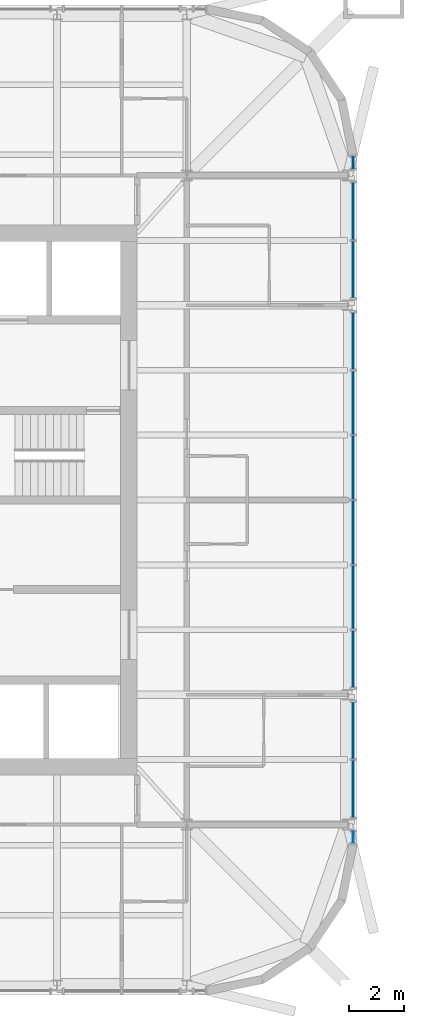
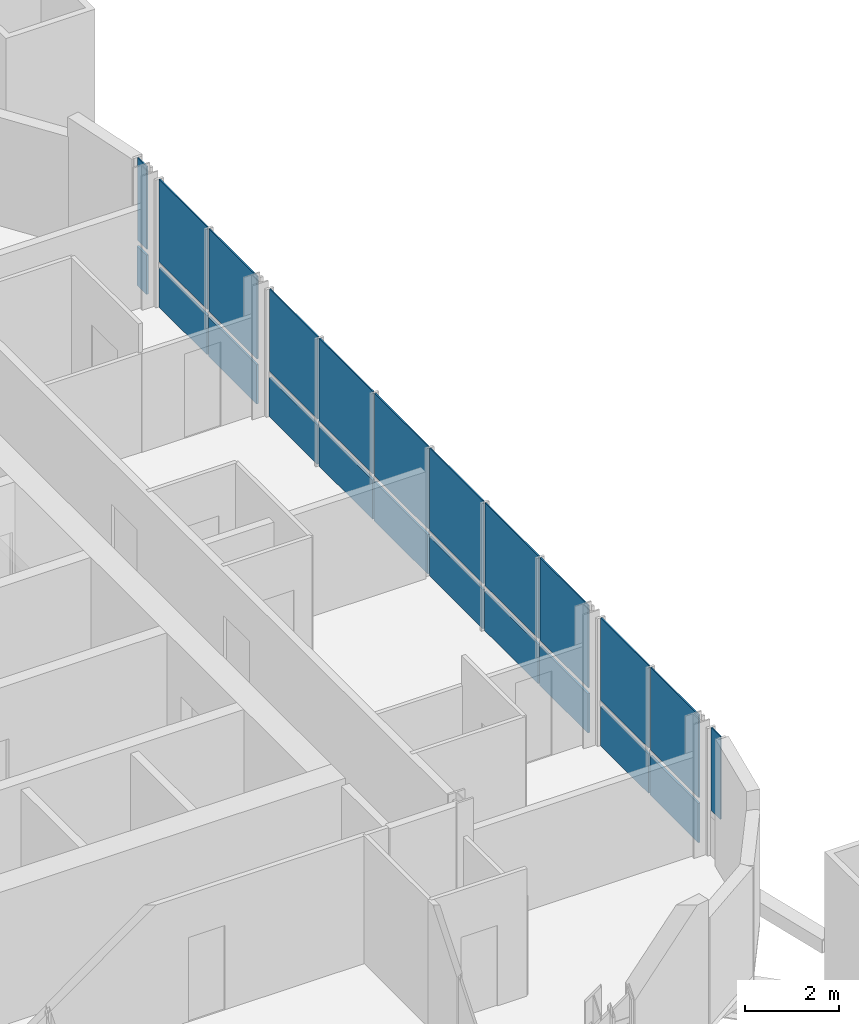
# One storey, part 10 of 16: 23 plates, 5 elements without a shape of their own.
"""IFC4 building model written with IfcOpenShell, lengths in metres."""

from ifc_helpers import new_model, si_unit, direction, frame, origin, origin_2d, place, context, subcontext, project, spatial, rectangle, extrude, material, layer, layer_set, type_object, element, aggregate, save


model = new_model("IFC4")

# Units and contexts
model_context = context("Model", 3, precision=1e-05, world=origin(), true_north=direction((0.0, 1.0)))
body_context = subcontext(model_context, "Body", "Model", "MODEL_VIEW")
ifc_project = project(units=[si_unit("LENGTHUNIT", "METRE"), si_unit("AREAUNIT", "SQUARE_METRE"), si_unit("VOLUMEUNIT", "CUBIC_METRE"), si_unit("PLANEANGLEUNIT", "RADIAN"), si_unit("MASSUNIT", "GRAM", prefix="KILO")], contexts=[model_context])

# Site, building, storey
site_placement = place(None, origin())
site = spatial("IfcSite", under=ifc_project, at=site_placement, CompositionType="ELEMENT")
building_placement = place(site_placement, origin())
building = spatial("IfcBuilding", under=site, at=building_placement, Name="Turquesa Mirador Hotel Tower", CompositionType="ELEMENT")
storey_placement = place(building_placement, frame((0.0, 0.0, 230.199951171875)))
storey = spatial("IfcBuildingStorey", under=building, at=storey_placement, Name="L62", CompositionType="ELEMENT", Elevation=230.199951171875)

# Curtain wall, plates
ifc_material_1 = material(Name="Aluminium extrusion", Category="aluminium")
curtain_wall_type = type_object("IfcCurtainWallType", Name="CW-4 SUITE FRITTED CURTAIN WALL", PredefinedType="USERDEFINED", material=ifc_material_1)
curtain_wall_1_placement = place(storey_placement, origin())
curtain_wall_1 = element("IfcCurtainWall", 1, at=curtain_wall_1_placement, inside=storey, type_object=curtain_wall_type, Name="CW-4 SUITE FRITTED CURTAIN WALL L62", ObjectType="CURTAIN WALL", PredefinedType="USERDEFINED")
ifc_material_2 = material(Name="Ceramic-printed spandrel glass on an insulated back pan", Category="glass")
ifc_layer_1 = layer(ifc_material_2, 0.050048828125)
ifc_layer_set_1 = layer_set([ifc_layer_1], Name="CW PANEL SPANDREL CERAMIC")
plate_type_1 = type_object("IfcPlateType", Name="CW PANEL SPANDREL CERAMIC", PredefinedType="CURTAIN_PANEL", material=ifc_layer_set_1)
plate_1_placement = place(storey_placement, frame((72.85009765625, 34.496826171875, 0.0), z_axis=(0.0, 0.0, 1.0), x_axis=(0.0, 1.0, 0.0)))
plate_1 = element("IfcPlate", 2, at=plate_1_placement, type_object=plate_type_1, Name="Panel", PredefinedType="CURTAIN_PANEL", context=body_context, shape_type="SweptSolid", body=[
    extrude(rectangle(XDim=2.06103515625, YDim=0.050048828125, at=origin_2d()), origin(), (0.0, 0.0, 1.0), 1.02490234375),
])
plate_2_placement = place(storey_placement, frame((72.85009765625, 36.623046875, 0.0), z_axis=(0.0, 0.0, 1.0), x_axis=(0.0, 1.0, 0.0)))
plate_2 = element("IfcPlate", 3, at=plate_2_placement, type_object=plate_type_1, Name="Panel", PredefinedType="CURTAIN_PANEL", context=body_context, shape_type="SweptSolid", body=[
    extrude(rectangle(XDim=2.06103515625, YDim=0.050048828125, at=origin_2d()), origin(), (0.0, 0.0, 1.0), 1.02490234375),
])

curtain_wall_2_placement = place(storey_placement, origin())
curtain_wall_2 = element("IfcCurtainWall", 4, at=curtain_wall_2_placement, inside=storey, type_object=curtain_wall_type, Name="CW-4 SUITE FRITTED CURTAIN WALL L62", ObjectType="CURTAIN WALL", PredefinedType="USERDEFINED")
plate_3_placement = place(storey_placement, frame((72.85009765625, 39.217041015625, 0.0), z_axis=(0.0, 0.0, 1.0), x_axis=(0.0, 1.0, 0.0)))
plate_3 = element("IfcPlate", 5, at=plate_3_placement, type_object=plate_type_1, Name="Panel", PredefinedType="CURTAIN_PANEL", context=body_context, shape_type="SweptSolid", body=[
    extrude(rectangle(XDim=2.06103515625, YDim=0.050048828125, at=origin_2d()), origin(), (0.0, 0.0, 1.0), 1.02490234375),
])
plate_4_placement = place(storey_placement, frame((72.85009765625, 41.4599609375, 0.0), z_axis=(0.0, 0.0, 1.0), x_axis=(0.0, 1.0, 0.0)))
plate_4 = element("IfcPlate", 6, at=plate_4_placement, type_object=plate_type_1, Name="Panel", PredefinedType="CURTAIN_PANEL", context=body_context, shape_type="SweptSolid", body=[
    extrude(rectangle(XDim=2.294921875, YDim=0.050048828125, at=origin_2d()), origin(), (0.0, 0.0, 1.0), 1.02490234375),
])
plate_5_placement = place(storey_placement, frame((72.85009765625, 43.820068359375, 0.0), z_axis=(0.0, 0.0, 1.0), x_axis=(0.0, 1.0, 0.0)))
plate_5 = element("IfcPlate", 7, at=plate_5_placement, type_object=plate_type_1, Name="Panel", PredefinedType="CURTAIN_PANEL", context=body_context, shape_type="SweptSolid", body=[
    extrude(rectangle(XDim=2.294921875, YDim=0.050048828125, at=origin_2d()), origin(), (0.0, 0.0, 1.0), 1.02490234375),
])
plate_6_placement = place(storey_placement, frame((72.85009765625, 46.179931640625, 0.0), z_axis=(0.0, 0.0, 1.0), x_axis=(0.0, 1.0, 0.0)))
plate_6 = element("IfcPlate", 8, at=plate_6_placement, type_object=plate_type_1, Name="Panel", PredefinedType="CURTAIN_PANEL", context=body_context, shape_type="SweptSolid", body=[
    extrude(rectangle(XDim=2.294921875, YDim=0.050048828125, at=origin_2d()), origin(), (0.0, 0.0, 1.0), 1.02490234375),
])
plate_7_placement = place(storey_placement, frame((72.85009765625, 48.5400390625, 0.0), z_axis=(0.0, 0.0, 1.0), x_axis=(0.0, 1.0, 0.0)))
plate_7 = element("IfcPlate", 9, at=plate_7_placement, type_object=plate_type_1, Name="Panel", PredefinedType="CURTAIN_PANEL", context=body_context, shape_type="SweptSolid", body=[
    extrude(rectangle(XDim=2.294921875, YDim=0.050048828125, at=origin_2d()), origin(), (0.0, 0.0, 1.0), 1.02490234375),
])
plate_8_placement = place(storey_placement, frame((72.85009765625, 50.782958984375, 0.0), z_axis=(0.0, 0.0, 1.0), x_axis=(0.0, 1.0, 0.0)))
plate_8 = element("IfcPlate", 10, at=plate_8_placement, type_object=plate_type_1, Name="Panel", PredefinedType="CURTAIN_PANEL", context=body_context, shape_type="SweptSolid", body=[
    extrude(rectangle(XDim=2.06103515625, YDim=0.050048828125, at=origin_2d()), origin(), (0.0, 0.0, 1.0), 1.02490234375),
])

curtain_wall_3_placement = place(storey_placement, origin())
curtain_wall_3 = element("IfcCurtainWall", 11, at=curtain_wall_3_placement, inside=storey, type_object=curtain_wall_type, Name="CW-4 SUITE FRITTED CURTAIN WALL L62", ObjectType="CURTAIN WALL", PredefinedType="USERDEFINED")
plate_9_placement = place(storey_placement, frame((72.85009765625, 53.376953125, 0.0), z_axis=(0.0, 0.0, 1.0), x_axis=(0.0, 1.0, 0.0)))
plate_9 = element("IfcPlate", 12, at=plate_9_placement, type_object=plate_type_1, Name="Panel", PredefinedType="CURTAIN_PANEL", context=body_context, shape_type="SweptSolid", body=[
    extrude(rectangle(XDim=2.06103515625, YDim=0.050048828125, at=origin_2d()), origin(), (0.0, 0.0, 1.0), 1.02490234375),
])
plate_10_placement = place(storey_placement, frame((72.85009765625, 55.503173828125, 0.0), z_axis=(0.0, 0.0, 1.0), x_axis=(0.0, 1.0, 0.0)))
plate_10 = element("IfcPlate", 13, at=plate_10_placement, type_object=plate_type_1, Name="Panel", PredefinedType="CURTAIN_PANEL", context=body_context, shape_type="SweptSolid", body=[
    extrude(rectangle(XDim=2.06103515625, YDim=0.050048828125, at=origin_2d()), origin(), (0.0, 0.0, 1.0), 1.02490234375),
])

# Curtain wall, plate
curtain_wall_4_placement = place(storey_placement, origin())
curtain_wall_4 = element("IfcCurtainWall", 14, at=curtain_wall_4_placement, inside=storey, type_object=curtain_wall_type, Name="CW-4 SUITE FRITTED CURTAIN WALL L62", ObjectType="CURTAIN WALL", PredefinedType="USERDEFINED")
plate_11_placement = place(storey_placement, frame((72.85009765625, 57.266845703125, 0.0), z_axis=(0.0, 0.0, 1.0), x_axis=(0.0, 1.0, 0.0)))
plate_11 = element("IfcPlate", 15, at=plate_11_placement, type_object=plate_type_1, Name="Panel", PredefinedType="CURTAIN_PANEL", context=body_context, shape_type="SweptSolid", body=[
    extrude(rectangle(XDim=0.401123046875, YDim=0.050048828125, at=origin_2d()), origin(), (0.0, 0.0, 1.0), 1.02490234375),
])

curtain_wall_5_placement = place(storey_placement, origin())
curtain_wall_5 = element("IfcCurtainWall", 16, at=curtain_wall_5_placement, inside=storey, type_object=curtain_wall_type, Name="CW-4 SUITE FRITTED CURTAIN WALL L62", ObjectType="CURTAIN WALL", PredefinedType="USERDEFINED")
ifc_material_3 = material(Name="Ceramic-fritted laminated glass", Category="glass")
ifc_layer_2 = layer(ifc_material_3, 0.031982421875)
ifc_layer_set_2 = layer_set([ifc_layer_2], Name="CW PANEL VISION FRITTED")
plate_type_2 = type_object("IfcPlateType", Name="CW PANEL VISION FRITTED", PredefinedType="CURTAIN_PANEL", material=ifc_layer_set_2)
plate_12_placement = place(storey_placement, frame((72.85009765625, 32.733154296875, 1.1748046875), z_axis=(0.0, 0.0, 1.0), x_axis=(0.0, 1.0, 0.0)))
plate_12 = element("IfcPlate", 17, at=plate_12_placement, type_object=plate_type_2, Name="Panel", PredefinedType="CURTAIN_PANEL", context=body_context, shape_type="SweptSolid", body=[
    extrude(rectangle(XDim=0.401123046875, YDim=0.031982421875, at=origin_2d()), origin(), (0.0, 0.0, 1.0), 2.155029296875),
])
aggregate(curtain_wall_5, [plate_12])

# Plate
plate_13_placement = place(storey_placement, frame((72.85009765625, 34.496826171875, 1.1748046875), z_axis=(0.0, 0.0, 1.0), x_axis=(0.0, 1.0, 0.0)))
plate_13 = element("IfcPlate", 18, at=plate_13_placement, type_object=plate_type_2, Name="Panel", PredefinedType="CURTAIN_PANEL", context=body_context, shape_type="SweptSolid", body=[
    extrude(rectangle(XDim=2.06103515625, YDim=0.031982421875, at=origin_2d()), origin(), (0.0, 0.0, 1.0), 2.155029296875),
])

plate_14_placement = place(storey_placement, frame((72.85009765625, 36.623046875, 1.1748046875), z_axis=(0.0, 0.0, 1.0), x_axis=(0.0, 1.0, 0.0)))
plate_14 = element("IfcPlate", 19, at=plate_14_placement, type_object=plate_type_2, Name="Panel", PredefinedType="CURTAIN_PANEL", context=body_context, shape_type="SweptSolid", body=[
    extrude(rectangle(XDim=2.06103515625, YDim=0.031982421875, at=origin_2d()), origin(), (0.0, 0.0, 1.0), 2.155029296875),
])

aggregate(curtain_wall_1, [plate_1, plate_13, plate_2, plate_14])

plate_15_placement = place(storey_placement, frame((72.85009765625, 39.217041015625, 1.1748046875), z_axis=(0.0, 0.0, 1.0), x_axis=(0.0, 1.0, 0.0)))
plate_15 = element("IfcPlate", 20, at=plate_15_placement, type_object=plate_type_2, Name="Panel", PredefinedType="CURTAIN_PANEL", context=body_context, shape_type="SweptSolid", body=[
    extrude(rectangle(XDim=2.06103515625, YDim=0.031982421875, at=origin_2d()), origin(), (0.0, 0.0, 1.0), 2.155029296875),
])

plate_16_placement = place(storey_placement, frame((72.85009765625, 41.4599609375, 1.1748046875), z_axis=(0.0, 0.0, 1.0), x_axis=(0.0, 1.0, 0.0)))
plate_16 = element("IfcPlate", 21, at=plate_16_placement, type_object=plate_type_2, Name="Panel", PredefinedType="CURTAIN_PANEL", context=body_context, shape_type="SweptSolid", body=[
    extrude(rectangle(XDim=2.294921875, YDim=0.031982421875, at=origin_2d()), origin(), (0.0, 0.0, 1.0), 2.155029296875),
])

plate_17_placement = place(storey_placement, frame((72.85009765625, 43.820068359375, 1.1748046875), z_axis=(0.0, 0.0, 1.0), x_axis=(0.0, 1.0, 0.0)))
plate_17 = element("IfcPlate", 22, at=plate_17_placement, type_object=plate_type_2, Name="Panel", PredefinedType="CURTAIN_PANEL", context=body_context, shape_type="SweptSolid", body=[
    extrude(rectangle(XDim=2.294921875, YDim=0.031982421875, at=origin_2d()), origin(), (0.0, 0.0, 1.0), 2.155029296875),
])

plate_18_placement = place(storey_placement, frame((72.85009765625, 46.179931640625, 1.1748046875), z_axis=(0.0, 0.0, 1.0), x_axis=(0.0, 1.0, 0.0)))
plate_18 = element("IfcPlate", 23, at=plate_18_placement, type_object=plate_type_2, Name="Panel", PredefinedType="CURTAIN_PANEL", context=body_context, shape_type="SweptSolid", body=[
    extrude(rectangle(XDim=2.294921875, YDim=0.031982421875, at=origin_2d()), origin(), (0.0, 0.0, 1.0), 2.155029296875),
])

plate_19_placement = place(storey_placement, frame((72.85009765625, 48.5400390625, 1.1748046875), z_axis=(0.0, 0.0, 1.0), x_axis=(0.0, 1.0, 0.0)))
plate_19 = element("IfcPlate", 24, at=plate_19_placement, type_object=plate_type_2, Name="Panel", PredefinedType="CURTAIN_PANEL", context=body_context, shape_type="SweptSolid", body=[
    extrude(rectangle(XDim=2.294921875, YDim=0.031982421875, at=origin_2d()), origin(), (0.0, 0.0, 1.0), 2.155029296875),
])

plate_20_placement = place(storey_placement, frame((72.85009765625, 50.782958984375, 1.1748046875), z_axis=(0.0, 0.0, 1.0), x_axis=(0.0, 1.0, 0.0)))
plate_20 = element("IfcPlate", 25, at=plate_20_placement, type_object=plate_type_2, Name="Panel", PredefinedType="CURTAIN_PANEL", context=body_context, shape_type="SweptSolid", body=[
    extrude(rectangle(XDim=2.06103515625, YDim=0.031982421875, at=origin_2d()), origin(), (0.0, 0.0, 1.0), 2.155029296875),
])

aggregate(curtain_wall_2, [plate_3, plate_15, plate_4, plate_16, plate_5, plate_17, plate_6, plate_18, plate_7, plate_19, plate_8, plate_20])

plate_21_placement = place(storey_placement, frame((72.85009765625, 53.376953125, 1.1748046875), z_axis=(0.0, 0.0, 1.0), x_axis=(0.0, 1.0, 0.0)))
plate_21 = element("IfcPlate", 26, at=plate_21_placement, type_object=plate_type_2, Name="Panel", PredefinedType="CURTAIN_PANEL", context=body_context, shape_type="SweptSolid", body=[
    extrude(rectangle(XDim=2.06103515625, YDim=0.031982421875, at=origin_2d()), origin(), (0.0, 0.0, 1.0), 2.155029296875),
])

plate_22_placement = place(storey_placement, frame((72.85009765625, 55.503173828125, 1.1748046875), z_axis=(0.0, 0.0, 1.0), x_axis=(0.0, 1.0, 0.0)))
plate_22 = element("IfcPlate", 27, at=plate_22_placement, type_object=plate_type_2, Name="Panel", PredefinedType="CURTAIN_PANEL", context=body_context, shape_type="SweptSolid", body=[
    extrude(rectangle(XDim=2.06103515625, YDim=0.031982421875, at=origin_2d()), origin(), (0.0, 0.0, 1.0), 2.155029296875),
])

aggregate(curtain_wall_3, [plate_9, plate_21, plate_10, plate_22])

plate_23_placement = place(storey_placement, frame((72.85009765625, 57.266845703125, 1.1748046875), z_axis=(0.0, 0.0, 1.0), x_axis=(0.0, 1.0, 0.0)))
plate_23 = element("IfcPlate", 28, at=plate_23_placement, type_object=plate_type_2, Name="Panel", PredefinedType="CURTAIN_PANEL", context=body_context, shape_type="SweptSolid", body=[
    extrude(rectangle(XDim=0.401123046875, YDim=0.031982421875, at=origin_2d()), origin(), (0.0, 0.0, 1.0), 2.155029296875),
])

aggregate(curtain_wall_4, [plate_11, plate_23])

save(model, "model.ifc")
